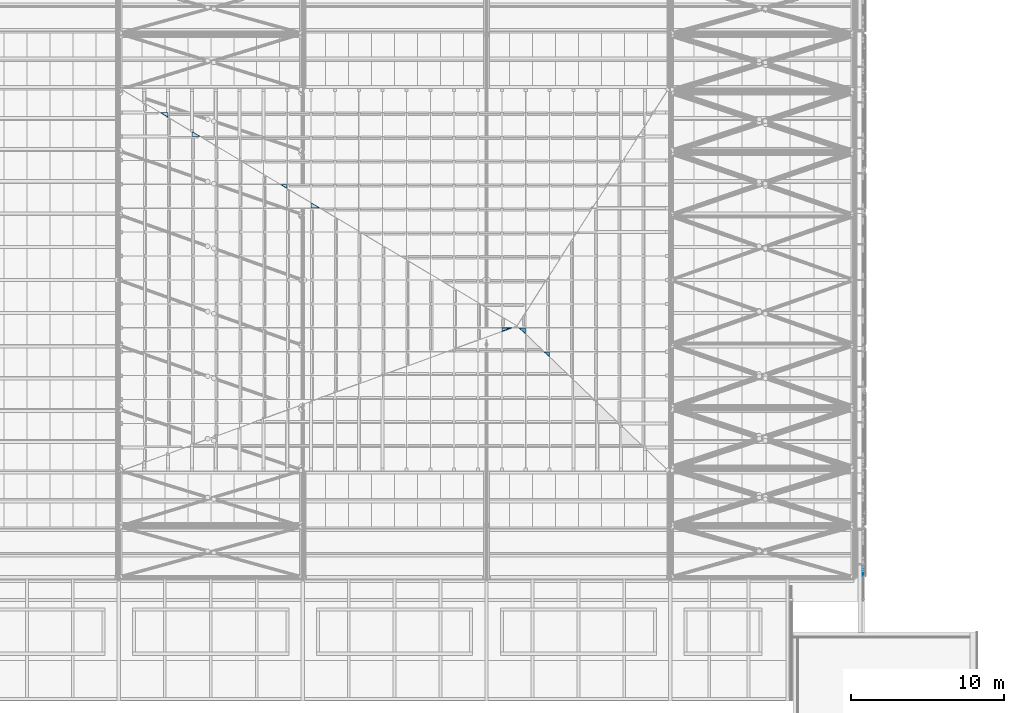
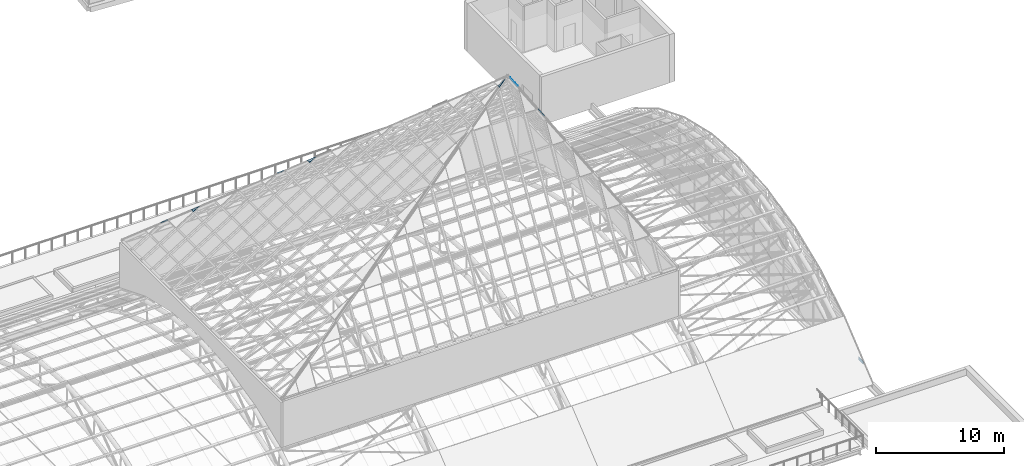
# One storey, part 75 of 110: 8 plates, 1 element without a shape of its own.
"""IFC4 building model written with IfcOpenShell, lengths in metres."""

from ifc_helpers import new_model, si_unit, direction, frame, origin, place, context, subcontext, project, spatial, polyline, outline, extrude, material, layer, layer_set, type_object, element, aggregate, save


model = new_model("IFC4")

# Units and contexts
model_context = context("Model", 3, precision=1e-05, world=origin(), true_north=direction((0.0, 1.0)))
body_context = subcontext(model_context, "Body", "Model", "MODEL_VIEW")
ifc_project = project(units=[si_unit("LENGTHUNIT", "METRE"), si_unit("AREAUNIT", "SQUARE_METRE"), si_unit("VOLUMEUNIT", "CUBIC_METRE"), si_unit("PLANEANGLEUNIT", "RADIAN"), si_unit("MASSUNIT", "GRAM", prefix="KILO")], contexts=[model_context])

# Site, building, storey
site_placement = place(None, origin())
site = spatial("IfcSite", under=ifc_project, at=site_placement, CompositionType="ELEMENT")
building_placement = place(site_placement, origin())
building = spatial("IfcBuilding", under=site, at=building_placement, Name="Windward Yard Aquatics Centre", CompositionType="ELEMENT")
storey_placement = place(building_placement, frame((0.0, 0.0, 22.60009765625)))
storey = spatial("IfcBuildingStorey", under=building, at=storey_placement, Name="L05", CompositionType="ELEMENT", Elevation=22.60009765625)

# Curtain wall, plate
ifc_material_1 = material(Name="Glass and aluminium curtain wall", Category="aluminium")
ifc_layer_1 = layer(ifc_material_1, 0.179931640625)
ifc_layer_set_1 = layer_set([ifc_layer_1], Name="H gable glazing system double glazed 8+16+8")
curtain_wall_type = type_object("IfcCurtainWallType", Name="H gable glazing system double glazed 8+16+8", PredefinedType="NOTDEFINED", material=ifc_layer_set_1)
curtain_wall_placement = place(storey_placement, origin())
curtain_wall = element("IfcCurtainWall", 1, at=curtain_wall_placement, inside=storey, type_object=curtain_wall_type, Name="Gable glazing E", PredefinedType="NOTDEFINED")
ifc_material_2 = material(Name="Low-iron glass", Category="glass")
ifc_layer_2 = layer(ifc_material_2, 0.008, Name="Outer pane")
ifc_material_3 = material(Name="Argon-filled cavity")
ifc_layer_3 = layer(ifc_material_3, 0.016, Name="Cavity")
ifc_layer_4 = layer(ifc_material_2, 0.008, Name="Inner pane")
ifc_layer_set_2 = layer_set([ifc_layer_2, ifc_layer_3, ifc_layer_4], Name="H gable glass low-e double glazed unit 32")
plate_type_1 = type_object("IfcPlateType", Name="H gable glass low-e double glazed unit 32", PredefinedType="CURTAIN_PANEL", material=ifc_layer_set_2)
plate_1_placement = place(storey_placement, frame((144.60595703125, 41.69384765625, 1.28173828125), z_axis=(1.0, 0.0, 0.0), x_axis=(0.0, 1.0, 0.0)))
plate_1 = element("IfcPlate", 2, at=plate_1_placement, type_object=plate_type_1, Name="Gable panel 1.1e", PredefinedType="CURTAIN_PANEL", context=body_context, shape_type="SweptSolid", body=[
    extrude(outline(polyline([(0.0, 0.0), (0.719727, 0.0), (0.719727, 0.295166), (0.0, 0.295166), (0.0, 0.0)])), origin(), (0.0, 0.0, -1.0), 0.031982421875),
])
aggregate(curtain_wall, [plate_1])

# Plates
ifc_material_4 = material(Name="Laminated low-e glass", Category="glass")
ifc_layer_5 = layer(ifc_material_4, 0.035888671875)
ifc_layer_set_3 = layer_set([ifc_layer_5], Name="H lantern glass laminated low-e 36")
plate_type_2 = type_object("IfcPlateType", Name="H lantern glass laminated low-e 36", PredefinedType="SHEET", material=ifc_layer_set_3)
plate_2_placement = place(storey_placement, frame((122.1376953125, 57.87353515625, 26.671875), z_axis=(0.850467485202, 0.0, 0.52602761963), x_axis=(0.52602761963, 0.0, -0.850467485202)))
element("IfcPlate", 3, at=plate_2_placement, inside=storey, type_object=plate_type_2, Name="H.LN.G.02.046", PredefinedType="SHEET", context=body_context, shape_type="SweptSolid", body=[
    extrude(outline(polyline([(0.0, 0.0), (0.796896, 0.0), (0.796896, -0.401855), (0.0, 0.0)])), origin(), (0.0, 0.0, -1.0), 0.035888671875),
])
plate_3_placement = place(storey_placement, frame((123.766357421875, 56.3125, 24.03955078125), z_axis=(0.85042291228, 0.0, 0.526099677123), x_axis=(0.526099677123, 0.0, -0.85042291228)))
element("IfcPlate", 4, at=plate_3_placement, inside=storey, type_object=plate_type_2, Name="H.LN.G.02.052", PredefinedType="SHEET", context=body_context, shape_type="SweptSolid", body=[
    extrude(outline(polyline([(0.0, 0.0), (0.659426, 0.0), (0.659426, -0.332764), (0.0, 0.0)])), origin(), (0.0, 0.0, -1.0), 0.035888671875),
])
plate_4_placement = place(storey_placement, frame((98.724853515625, 71.92431640625, 12.510986328125), z_axis=(0.0, 0.718450853709, 0.695577724489), x_axis=(1.0, 0.0, 0.0)))
element("IfcPlate", 5, at=plate_4_placement, inside=storey, type_object=plate_type_2, Name="H.LN.G.03.003", PredefinedType="SHEET", context=body_context, shape_type="SweptSolid", body=[
    extrude(outline(polyline([(0.0, 0.0), (0.484131, 0.0), (0.484131, -0.416274), (0.0, 0.0)])), origin(), (0.0, 0.0, -1.0), 0.035888671875),
])
plate_5_placement = place(storey_placement, frame((106.556396484375, 67.24072265625, 17.348876953125), z_axis=(0.0, 0.718749322605, 0.695269308437), x_axis=(1.0, 0.0, 0.0)))
element("IfcPlate", 6, at=plate_5_placement, inside=storey, type_object=plate_type_2, Name="H.LN.G.03.020", PredefinedType="SHEET", context=body_context, shape_type="SweptSolid", body=[
    extrude(outline(polyline([(0.0, 0.0), (0.435303, 0.0), (0.435303, -0.374321), (0.0, 0.0)])), origin(), (0.0, 0.0, -1.0), 0.035888671875),
])
plate_6_placement = place(storey_placement, frame((121.00830078125, 57.640869140625, 26.281494140625), z_axis=(-0.525701673587, 0.0, 0.850669001662), x_axis=(0.0, 1.0, 0.0)))
element("IfcPlate", 7, at=plate_6_placement, inside=storey, type_object=plate_type_2, Name="H.LN.G.04.059", PredefinedType="SHEET", context=body_context, shape_type="SweptSolid", body=[
    extrude(outline(polyline([(0.0, 0.0), (0.232666, 0.0), (0.232666, -0.74677), (0.0, 0.0)])), origin(), (0.0, 0.0, -1.0), 0.035888671875),
])
plate_7_placement = place(storey_placement, frame((108.55615234375, 65.6875, 18.589111328125), z_axis=(-0.525690549713, 0.0, 0.850675875962), x_axis=(0.0, 1.0, 0.0)))
element("IfcPlate", 8, at=plate_7_placement, inside=storey, type_object=plate_type_2, Name="H.LN.G.04.136", PredefinedType="SHEET", context=body_context, shape_type="SweptSolid", body=[
    extrude(outline(polyline([(0.0, 0.0), (0.3479, 0.0), (0.0, -0.683625), (0.0, 0.0)])), origin(), (0.0, 0.0, -1.0), 0.035888671875),
])
plate_8_placement = place(storey_placement, frame((100.773681640625, 70.37109375, 13.781494140625), z_axis=(-0.525575886142, 0.0, 0.850746723711), x_axis=(0.0, 1.0, 0.0)))
element("IfcPlate", 9, at=plate_8_placement, inside=storey, type_object=plate_type_2, Name="H.LN.G.04.152", PredefinedType="SHEET", context=body_context, shape_type="SweptSolid", body=[
    extrude(outline(polyline([(0.0, 0.0), (0.318604, 0.0), (0.0, -0.626173), (0.0, 0.0)])), origin(), (0.0, 0.0, -1.0), 0.035888671875),
])

save(model, "model.ifc")
